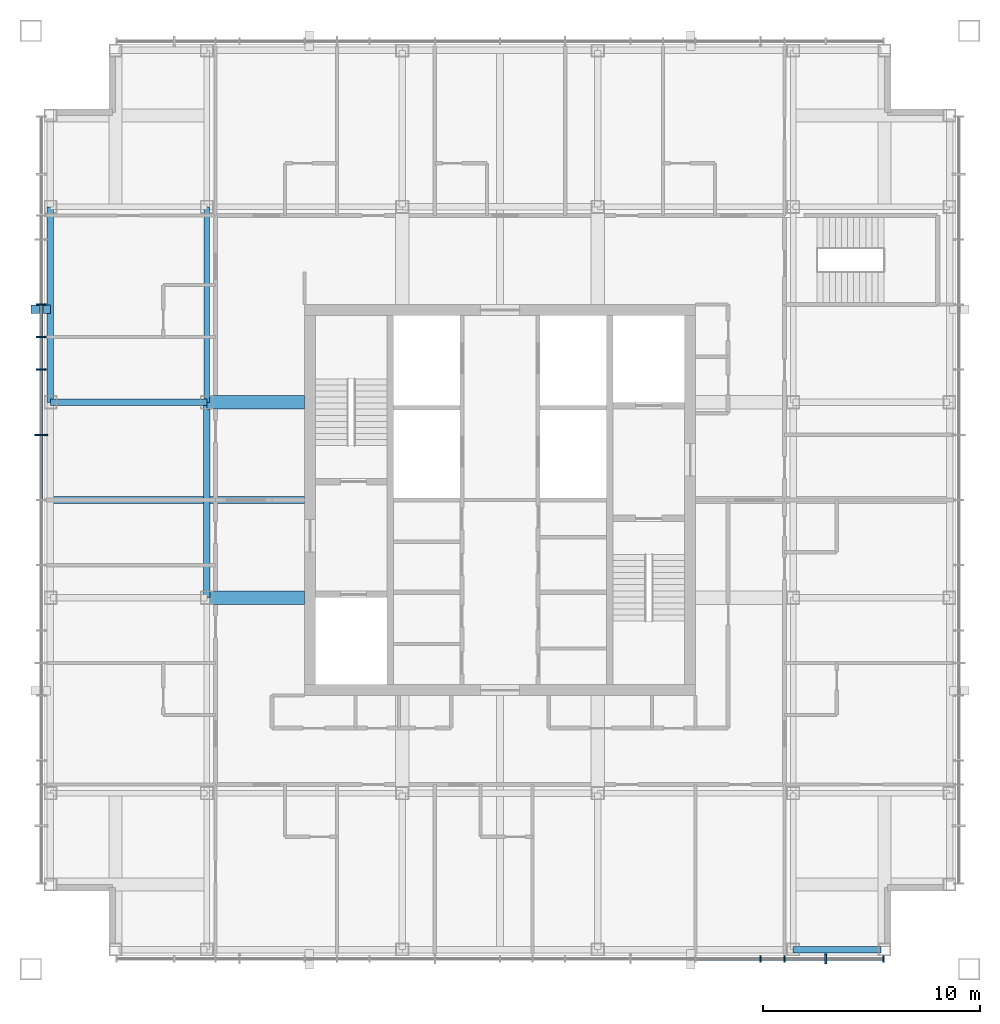
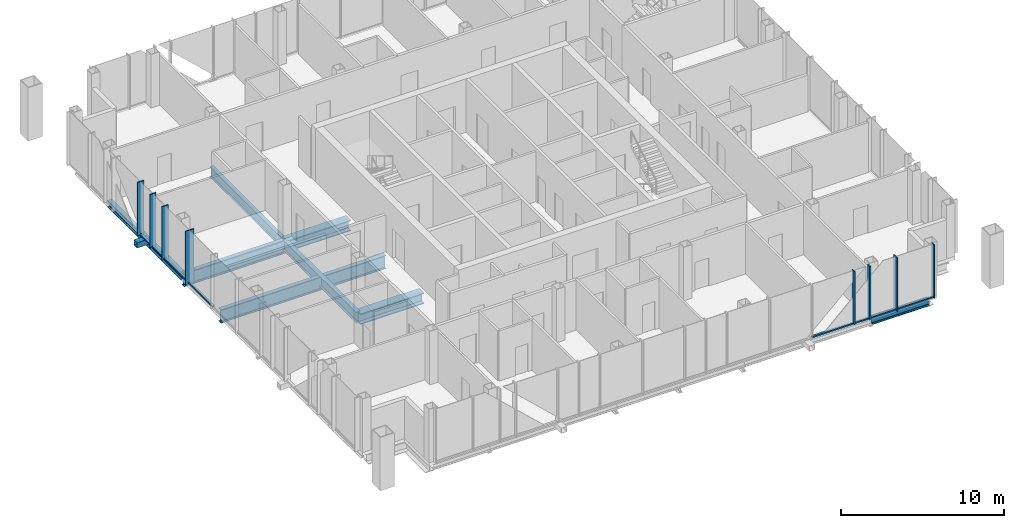
# One storey, part 3 of 11: 17 members, 8 beams, 2 elements without a shape of their own.
"""IFC4 building model written with IfcOpenShell, lengths in metres."""

from ifc_helpers import new_model, si_unit, direction, frame, origin, origin_2d, place, context, subcontext, project, spatial, rectangle, hollow_rectangle, i_section, extrude, material, layer, layer_set, material_profile, profile_set, type_object, element, aggregate, save


model = new_model("IFC4")

# Units and contexts
model_context = context("Model", 3, precision=1e-05, world=origin(), true_north=direction((0.0, 1.0)))
body_context = subcontext(model_context, "Body", "Model", "MODEL_VIEW")
ifc_project = project(units=[si_unit("LENGTHUNIT", "METRE"), si_unit("AREAUNIT", "SQUARE_METRE"), si_unit("VOLUMEUNIT", "CUBIC_METRE"), si_unit("PLANEANGLEUNIT", "RADIAN"), si_unit("MASSUNIT", "GRAM", prefix="KILO")], contexts=[model_context])

# Site, building, storey
site_placement = place(None, origin())
site = spatial("IfcSite", under=ifc_project, at=site_placement, CompositionType="ELEMENT")
building_placement = place(site_placement, origin())
building = spatial("IfcBuilding", under=site, at=building_placement, Name="Malebo Sky Hospital", CompositionType="ELEMENT")
storey_placement = place(building_placement, frame((0.0, 0.0, 278.0)))
storey = spatial("IfcBuildingStorey", under=building, at=storey_placement, Name="L67", CompositionType="ELEMENT", Elevation=278.0)

# Curtain wall, members
ifc_material_1 = material(Name="Anodised aluminium, natural silver", Category="aluminium")
ifc_layer_1 = layer(ifc_material_1, 0.25)
ifc_layer_set_1 = layer_set([ifc_layer_1], Name="WARD CURTAIN WALL EAST AND WEST")
curtain_wall_type_1 = type_object("IfcCurtainWallType", Name="WARD CURTAIN WALL EAST AND WEST", PredefinedType="NOTDEFINED", material=ifc_layer_set_1)
curtain_wall_1_placement = place(storey_placement, origin())
curtain_wall_1 = element("IfcCurtainWall", 1, at=curtain_wall_1_placement, inside=storey, type_object=curtain_wall_type_1, Name="EW curtain wall W", PredefinedType="NOTDEFINED")
ifc_material_profile_1 = material_profile(ifc_material_1, rectangle(XDim=0.14990234375, YDim=0.10009765625, at=origin_2d()), Name="ALUMINIUM TRANSOM 150x100")
ifc_profile_set_1 = profile_set([ifc_material_profile_1], Name="Anodised aluminium, natural silver")
member_type_1 = type_object("IfcMemberType", Name="ALUMINIUM TRANSOM 150x100", PredefinedType="USERDEFINED", material=ifc_profile_set_1)
member_1_placement = place(storey_placement, frame((38.875, 62.03759765625, 0.050048828125), z_axis=(0.0, 1.0, 0.0), x_axis=(-1.0, 0.0, 0.0)))
member_1 = element("IfcMember", 2, at=member_1_placement, type_object=member_type_1, Name="Transom 9", ObjectType="TRANSOM", PredefinedType="USERDEFINED", context=body_context, shape_type="SweptSolid", body=[
    extrude(rectangle(XDim=0.14990234375, YDim=0.10009765625, at=origin_2d()), origin(), (0.0, 0.0, 1.0), 2.9248046875),
])
member_2_placement = place(storey_placement, frame((38.875, 65.03759765625, 0.050048828125), z_axis=(0.0, 1.0, 0.0), x_axis=(-1.0, 0.0, 0.0)))
member_2 = element("IfcMember", 3, at=member_2_placement, type_object=member_type_1, Name="Transom 10", ObjectType="TRANSOM", PredefinedType="USERDEFINED", context=body_context, shape_type="SweptSolid", body=[
    extrude(rectangle(XDim=0.14990234375, YDim=0.10009765625, at=origin_2d()), origin(), (0.0, 0.0, 1.0), 2.9248046875),
])
member_3_placement = place(storey_placement, frame((38.875, 68.03759765625, 0.050048828125), z_axis=(0.0, 1.0, 0.0), x_axis=(-1.0, 0.0, 0.0)))
member_3 = element("IfcMember", 4, at=member_3_placement, type_object=member_type_1, Name="Transom 11", ObjectType="TRANSOM", PredefinedType="USERDEFINED", context=body_context, shape_type="SweptSolid", body=[
    extrude(rectangle(XDim=0.14990234375, YDim=0.10009765625, at=origin_2d()), origin(), (0.0, 0.0, 1.0), 1.4248046875),
])
member_4_placement = place(storey_placement, frame((38.875, 69.53759765625, 0.050048828125), z_axis=(0.0, 1.0, 0.0), x_axis=(-1.0, 0.0, 0.0)))
member_4 = element("IfcMember", 5, at=member_4_placement, type_object=member_type_1, Name="Transom 12", ObjectType="TRANSOM", PredefinedType="USERDEFINED", context=body_context, shape_type="SweptSolid", body=[
    extrude(rectangle(XDim=0.14990234375, YDim=0.10009765625, at=origin_2d()), origin(), (0.0, 0.0, 1.0), 1.4248046875),
])

ifc_layer_2 = layer(ifc_material_1, 0.25)
ifc_layer_set_2 = layer_set([ifc_layer_2], Name="WARD CURTAIN WALL NORTH AND SOUTH")
curtain_wall_type_2 = type_object("IfcCurtainWallType", Name="WARD CURTAIN WALL NORTH AND SOUTH", PredefinedType="NOTDEFINED", material=ifc_layer_set_2)
curtain_wall_2_placement = place(storey_placement, origin())
curtain_wall_2 = element("IfcCurtainWall", 6, at=curtain_wall_2_placement, inside=storey, type_object=curtain_wall_type_2, Name="NS curtain wall S", PredefinedType="NOTDEFINED")
member_5_placement = place(storey_placement, frame((77.625, 40.875, 0.050048828125), z_axis=(-1.0, 0.0, 0.0), x_axis=(0.0, -1.0, 0.0)))
member_5 = element("IfcMember", 7, at=member_5_placement, type_object=member_type_1, Name="Transom 1", ObjectType="TRANSOM", PredefinedType="USERDEFINED", context=body_context, shape_type="SweptSolid", body=[
    extrude(rectangle(XDim=0.14990234375, YDim=0.10009765625, at=origin_2d()), origin(), (0.0, 0.0, 1.0), 2.58740234375),
])
member_6_placement = place(storey_placement, frame((74.96240234375, 40.875, 0.050048828125), z_axis=(-1.0, 0.0, 0.0), x_axis=(0.0, -1.0, 0.0)))
member_6 = element("IfcMember", 8, at=member_6_placement, type_object=member_type_1, Name="Transom 2", ObjectType="TRANSOM", PredefinedType="USERDEFINED", context=body_context, shape_type="SweptSolid", body=[
    extrude(rectangle(XDim=0.14990234375, YDim=0.10009765625, at=origin_2d()), origin(), (0.0, 0.0, 1.0), 1.824951171875),
])
member_7_placement = place(storey_placement, frame((73.0625, 40.875, 0.050048828125), z_axis=(-1.0, 0.0, 0.0), x_axis=(0.0, -1.0, 0.0)))
member_7 = element("IfcMember", 9, at=member_7_placement, type_object=member_type_1, Name="Transom 3", ObjectType="TRANSOM", PredefinedType="USERDEFINED", context=body_context, shape_type="SweptSolid", body=[
    extrude(rectangle(XDim=0.14990234375, YDim=0.10009765625, at=origin_2d()), origin(), (0.0, 0.0, 1.0), 1.02490234375),
])
member_8_placement = place(storey_placement, frame((71.96240234375, 40.875, 0.050048828125), z_axis=(-1.0, 0.0, 0.0), x_axis=(0.0, -1.0, 0.0)))
member_8 = element("IfcMember", 10, at=member_8_placement, type_object=member_type_1, Name="Transom 4", ObjectType="TRANSOM", PredefinedType="USERDEFINED", context=body_context, shape_type="SweptSolid", body=[
    extrude(rectangle(XDim=0.14990234375, YDim=0.10009765625, at=origin_2d()), origin(), (0.0, 0.0, 1.0), 2.9248046875),
])

# Member
ifc_material_2 = material(Name="Steel S355", Category="steel")
ifc_material_profile_2 = material_profile(ifc_material_2, hollow_rectangle(XDim=0.39990234375, YDim=0.39990234375, WallThickness=0.02001953125, at=origin_2d()), Name="SHS 400x20")
ifc_profile_set_2 = profile_set([ifc_material_profile_2], Name="Steel S355")
member_type_2 = type_object("IfcMemberType", Name="BRACE STRUT SHS 400x20", PredefinedType="STRUT", material=ifc_profile_set_2)
member_9_placement = place(storey_placement, frame((38.39990234375, 70.7841796875, -0.39990234375), z_axis=(1.0, 0.0, 0.0), x_axis=(0.0, 1.0, 0.0)))
element("IfcMember", 11, at=member_9_placement, inside=storey, type_object=member_type_2, Name="Brace strut DW2 L67", PredefinedType="STRUT", context=body_context, shape_type="SweptSolid", body=[
    extrude(hollow_rectangle(XDim=0.39990234375, YDim=0.39990234375, WallThickness=0.02001953125, at=origin_2d()), origin(), (0.0, 0.0, 1.0), 0.900146484375),
])

ifc_material_profile_3 = material_profile(ifc_material_1, rectangle(XDim=0.074951171875, YDim=0.300048828125, at=origin_2d()), Name="CW1 ALUMINIUM FIN MULLION 75x300")
ifc_profile_set_3 = profile_set([ifc_material_profile_3], Name="Anodised aluminium, natural silver")
member_type_3 = type_object("IfcMemberType", Name="CW1 ALUMINIUM FIN MULLION 75x300", PredefinedType="MULLION", material=ifc_profile_set_3)
member_10_placement = place(storey_placement, frame((77.66259765625, 40.875, 0.0), z_axis=(0.0, 0.0, 1.0), x_axis=(-1.0, 0.0, 0.0)))
member_10 = element("IfcMember", 12, at=member_10_placement, type_object=member_type_3, Name="Fin mullion 1", PredefinedType="MULLION", context=body_context, shape_type="SweptSolid", body=[
    extrude(rectangle(XDim=0.074951171875, YDim=0.300048828125, at=origin_2d()), origin(), (0.0, 0.0, 1.0), 4.0),
])

member_11_placement = place(storey_placement, frame((73.10009765625, 40.875, 0.0), z_axis=(0.0, 0.0, 1.0), x_axis=(-1.0, 0.0, 0.0)))
member_11 = element("IfcMember", 13, at=member_11_placement, type_object=member_type_3, Name="Fin mullion 3", PredefinedType="MULLION", context=body_context, shape_type="SweptSolid", body=[
    extrude(rectangle(XDim=0.074951171875, YDim=0.300048828125, at=origin_2d()), origin(), (0.0, 0.0, 1.0), 4.0),
])

member_12_placement = place(storey_placement, frame((72.0, 40.875, 0.0), z_axis=(0.0, 0.0, 1.0), x_axis=(-1.0, 0.0, 0.0)))
member_12 = element("IfcMember", 14, at=member_12_placement, type_object=member_type_3, Name="Fin mullion 4", PredefinedType="MULLION", context=body_context, shape_type="SweptSolid", body=[
    extrude(rectangle(XDim=0.074951171875, YDim=0.300048828125, at=origin_2d()), origin(), (0.0, 0.0, 1.0), 4.0),
])

ifc_material_profile_4 = material_profile(ifc_material_1, rectangle(XDim=0.074951171875, YDim=0.449951171875, at=origin_2d()), Name="CW1 ALUMINIUM FIN MULLION 75x450")
ifc_profile_set_4 = profile_set([ifc_material_profile_4], Name="Anodised aluminium, natural silver")
member_type_4 = type_object("IfcMemberType", Name="CW1 ALUMINIUM FIN MULLION 75x450", PredefinedType="MULLION", material=ifc_profile_set_4)
member_13_placement = place(storey_placement, frame((75.0, 40.875, 0.0), z_axis=(0.0, 0.0, 1.0), x_axis=(-1.0, 0.0, 0.0)))
member_13 = element("IfcMember", 15, at=member_13_placement, type_object=member_type_4, Name="Fin mullion 2", PredefinedType="MULLION", context=body_context, shape_type="SweptSolid", body=[
    extrude(rectangle(XDim=0.074951171875, YDim=0.449951171875, at=origin_2d()), origin(), (0.0, 0.0, 1.0), 4.0),
])

aggregate(curtain_wall_2, [member_10, member_13, member_11, member_12, member_5, member_6, member_7, member_8])

ifc_material_profile_5 = material_profile(ifc_material_1, rectangle(XDim=0.074951171875, YDim=0.449951171875, at=origin_2d()), Name="CW2 ALUMINIUM FIN MULLION 75x450")
ifc_profile_set_5 = profile_set([ifc_material_profile_5], Name="Anodised aluminium, natural silver")
member_type_5 = type_object("IfcMemberType", Name="CW2 ALUMINIUM FIN MULLION 75x450", PredefinedType="MULLION", material=ifc_profile_set_5)
member_14_placement = place(storey_placement, frame((38.875, 68.0, 0.0), z_axis=(0.0, 0.0, 1.0), x_axis=(0.0, 1.0, 0.0)))
member_14 = element("IfcMember", 16, at=member_14_placement, type_object=member_type_5, Name="Fin mullion 11", PredefinedType="MULLION", context=body_context, shape_type="SweptSolid", body=[
    extrude(rectangle(XDim=0.074951171875, YDim=0.449951171875, at=origin_2d()), origin(), (0.0, 0.0, 1.0), 4.0),
])

member_15_placement = place(storey_placement, frame((38.875, 69.5, 0.0), z_axis=(0.0, 0.0, 1.0), x_axis=(0.0, 1.0, 0.0)))
member_15 = element("IfcMember", 17, at=member_15_placement, type_object=member_type_5, Name="Fin mullion 12", PredefinedType="MULLION", context=body_context, shape_type="SweptSolid", body=[
    extrude(rectangle(XDim=0.074951171875, YDim=0.449951171875, at=origin_2d()), origin(), (0.0, 0.0, 1.0), 4.0),
])

member_16_placement = place(storey_placement, frame((38.875, 71.0, 0.0), z_axis=(0.0, 0.0, 1.0), x_axis=(0.0, 1.0, 0.0)))
member_16 = element("IfcMember", 18, at=member_16_placement, type_object=member_type_5, Name="Fin mullion 13", PredefinedType="MULLION", context=body_context, shape_type="SweptSolid", body=[
    extrude(rectangle(XDim=0.074951171875, YDim=0.449951171875, at=origin_2d()), origin(), (0.0, 0.0, 1.0), 4.0),
])

ifc_material_profile_6 = material_profile(ifc_material_1, rectangle(XDim=0.074951171875, YDim=0.60009765625, at=origin_2d()), Name="CW2 ALUMINIUM FIN MULLION 75x600")
ifc_profile_set_6 = profile_set([ifc_material_profile_6], Name="Anodised aluminium, natural silver")
member_type_6 = type_object("IfcMemberType", Name="CW2 ALUMINIUM FIN MULLION 75x600", PredefinedType="MULLION", material=ifc_profile_set_6)
member_17_placement = place(storey_placement, frame((38.875, 65.0, 0.0), z_axis=(0.0, 0.0, 1.0), x_axis=(0.0, 1.0, 0.0)))
member_17 = element("IfcMember", 19, at=member_17_placement, type_object=member_type_6, Name="Fin mullion 10", PredefinedType="MULLION", context=body_context, shape_type="SweptSolid", body=[
    extrude(rectangle(XDim=0.074951171875, YDim=0.60009765625, at=origin_2d()), origin(), (0.0, 0.0, 1.0), 4.0),
])

aggregate(curtain_wall_1, [member_17, member_14, member_15, member_16, member_1, member_2, member_3, member_4])

# Beams
ifc_material_profile_7 = material_profile(ifc_material_2, i_section(OverallWidth=0.305908203125, OverallDepth=0.52392578125, WebThickness=0.02099609375, FlangeThickness=0.0400390625, FilletRadius=0.027099609375, at=origin_2d()), Name="HEM 500")
ifc_profile_set_7 = profile_set([ifc_material_profile_7], Name="Steel S355")
beam_type_1 = type_object("IfcBeamType", Name="EDGE BEAM HEM 500", PredefinedType="BEAM", material=ifc_profile_set_7)
beam_1_placement = place(storey_placement, frame((39.300048828125, 66.5, -0.511962890625), z_axis=(0.0, 1.0, 0.0), x_axis=(-1.0, 0.0, 0.0)))
element("IfcBeam", 20, at=beam_1_placement, inside=storey, type_object=beam_type_1, Name="Beam 003 L67", PredefinedType="BEAM", context=body_context, shape_type="SweptSolid", body=[
    extrude(i_section(OverallWidth=0.305908203125, OverallDepth=0.52392578125, WebThickness=0.02099609375, FlangeThickness=0.0400390625, FilletRadius=0.027099609375, at=origin_2d()), origin(), (0.0, 0.0, 1.0), 9.0),
])
beam_2_placement = place(storey_placement, frame((73.5, 41.300048828125, -0.511962890625), z_axis=(1.0, 0.0, 0.0), x_axis=(0.0, 1.0, 0.0)))
element("IfcBeam", 21, at=beam_2_placement, inside=storey, type_object=beam_type_1, Name="Beam 038 L67", PredefinedType="BEAM", context=body_context, shape_type="SweptSolid", body=[
    extrude(i_section(OverallWidth=0.305908203125, OverallDepth=0.52392578125, WebThickness=0.02099609375, FlangeThickness=0.0400390625, FilletRadius=0.027099609375, at=origin_2d()), origin(), (0.0, 0.0, 1.0), 4.050048828125),
])
ifc_material_profile_8 = material_profile(ifc_material_2, i_section(OverallWidth=0.300048828125, OverallDepth=1.0, WebThickness=0.01904296875, FlangeThickness=0.035888671875, FilletRadius=0.030029296875, at=origin_2d()), Name="HEB 1000")
ifc_profile_set_8 = profile_set([ifc_material_profile_8], Name="Steel S355")
beam_type_2 = type_object("IfcBeamType", Name="FLOOR BEAM HEB 1000", PredefinedType="BEAM", material=ifc_profile_set_8)
beam_3_placement = place(storey_placement, frame((39.300048828125, 62.0, -0.75), z_axis=(1.0, 0.0, 0.0), x_axis=(0.0, 1.0, 0.0)))
element("IfcBeam", 22, at=beam_3_placement, inside=storey, type_object=beam_type_2, Name="Beam 050 L67", PredefinedType="BEAM", context=body_context, shape_type="SweptSolid", body=[
    extrude(i_section(OverallWidth=0.300048828125, OverallDepth=1.0, WebThickness=0.01904296875, FlangeThickness=0.035888671875, FilletRadius=0.030029296875, at=origin_2d()), origin(), (0.0, 0.0, 1.0), 11.699951171875),
])
beam_4_placement = place(storey_placement, frame((39.300048828125, 66.5, -0.75), z_axis=(1.0, 0.0, 0.0), x_axis=(0.0, 1.0, 0.0)))
element("IfcBeam", 23, at=beam_4_placement, inside=storey, type_object=beam_type_2, Name="Beam 052 L67", PredefinedType="BEAM", context=body_context, shape_type="SweptSolid", body=[
    extrude(i_section(OverallWidth=0.300048828125, OverallDepth=1.0, WebThickness=0.01904296875, FlangeThickness=0.035888671875, FilletRadius=0.030029296875, at=origin_2d()), origin(), (0.0, 0.0, 1.0), 7.199951171875),
])
ifc_material_profile_9 = material_profile(ifc_material_2, i_section(OverallWidth=0.26708984375, OverallDepth=0.761962890625, WebThickness=0.014404296875, FlangeThickness=0.021484375, FilletRadius=0.01708984375, at=origin_2d()), Name="IPE 750x173")
ifc_profile_set_9 = profile_set([ifc_material_profile_9], Name="Steel S355")
beam_type_3 = type_object("IfcBeamType", Name="FLOOR BEAM IPE 750x173", PredefinedType="BEAM", material=ifc_profile_set_9)
beam_5_placement = place(storey_placement, frame((46.5, 66.5, -0.631103515625), z_axis=(0.0, 1.0, 0.0), x_axis=(-1.0, 0.0, 0.0)))
element("IfcBeam", 24, at=beam_5_placement, inside=storey, type_object=beam_type_3, Name="Beam 010 L67", PredefinedType="BEAM", context=body_context, shape_type="SweptSolid", body=[
    extrude(i_section(OverallWidth=0.26708984375, OverallDepth=0.761962890625, WebThickness=0.014404296875, FlangeThickness=0.021484375, FilletRadius=0.01708984375, at=origin_2d()), origin(), (0.0, 0.0, 1.0), 9.0),
])
ifc_material_profile_10 = material_profile(ifc_material_2, i_section(OverallWidth=0.60009765625, OverallDepth=0.800048828125, WebThickness=0.0400390625, FlangeThickness=0.06005859375, at=origin_2d()), Name="PG 800x600x40x60")
ifc_profile_set_10 = profile_set([ifc_material_profile_10], Name="Steel S355")
beam_type_4 = type_object("IfcBeamType", Name="FLOOR BEAM PG 800x600x40x60", PredefinedType="BEAM", material=ifc_profile_set_10)
for number, where, z_axis, x_axis, name in (
    (25, (46.5, 57.5, -0.64990234375), (1.0, 0.0, 0.0), (0.0, 1.0, 0.0), "Beam 047 L67"),
    (26, (46.5, 66.5, -0.64990234375), (1.0, 0.0, 0.0), (0.0, 1.0, 0.0), "Beam 053 L67"),
):
    element("IfcBeam", number, at=place(storey_placement, frame(where, z_axis=z_axis, x_axis=x_axis)), inside=storey, type_object=beam_type_4, Name=name, PredefinedType="BEAM", context=body_context, shape_type="SweptSolid", body=[
        extrude(i_section(OverallWidth=0.60009765625, OverallDepth=0.800048828125, WebThickness=0.0400390625, FlangeThickness=0.06005859375, at=origin_2d()), origin(), (0.0, 0.0, 1.0), 4.5),
    ])
ifc_material_profile_11 = material_profile(ifc_material_2, i_section(OverallWidth=0.300048828125, OverallDepth=0.800048828125, WebThickness=0.017578125, FlangeThickness=0.032958984375, FilletRadius=0.030029296875, at=origin_2d()), Name="HEB 800")
ifc_profile_set_11 = profile_set([ifc_material_profile_11], Name="Steel S355")
beam_type_5 = type_object("IfcBeamType", Name="RING GIRDER HEB 800", PredefinedType="BEAM", material=ifc_profile_set_11)
beam_6_placement = place(storey_placement, frame((46.5, 57.5, -0.64990234375), z_axis=(0.0, 1.0, 0.0), x_axis=(-1.0, 0.0, 0.0)))
element("IfcBeam", 27, at=beam_6_placement, inside=storey, type_object=beam_type_5, Name="Beam 009 L67", PredefinedType="BEAM", context=body_context, shape_type="SweptSolid", body=[
    extrude(i_section(OverallWidth=0.300048828125, OverallDepth=0.800048828125, WebThickness=0.017578125, FlangeThickness=0.032958984375, FilletRadius=0.030029296875, at=origin_2d()), origin(), (0.0, 0.0, 1.0), 9.0),
])

save(model, "model.ifc")
